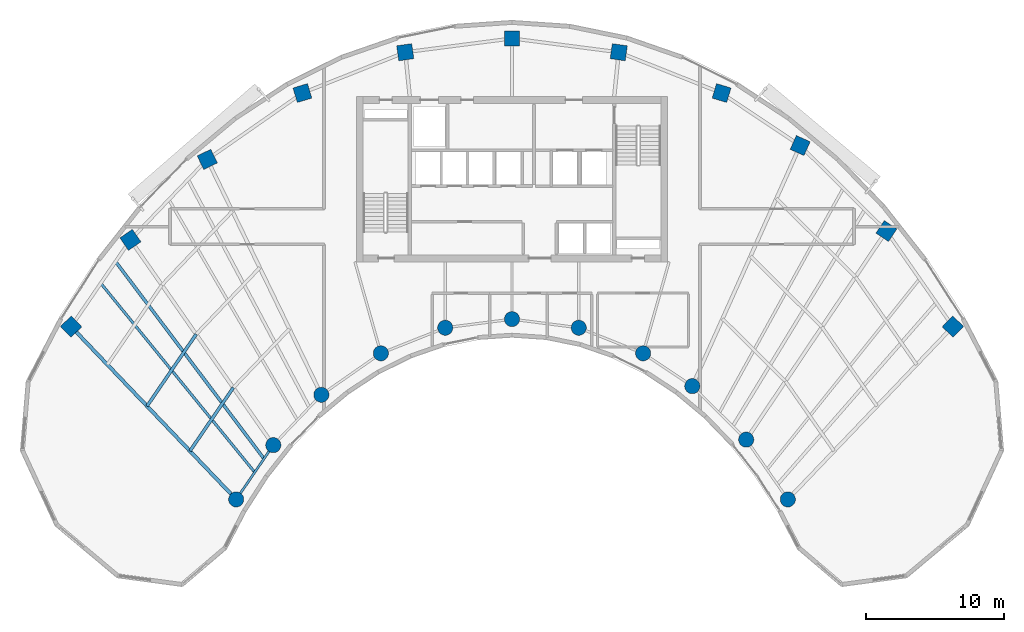
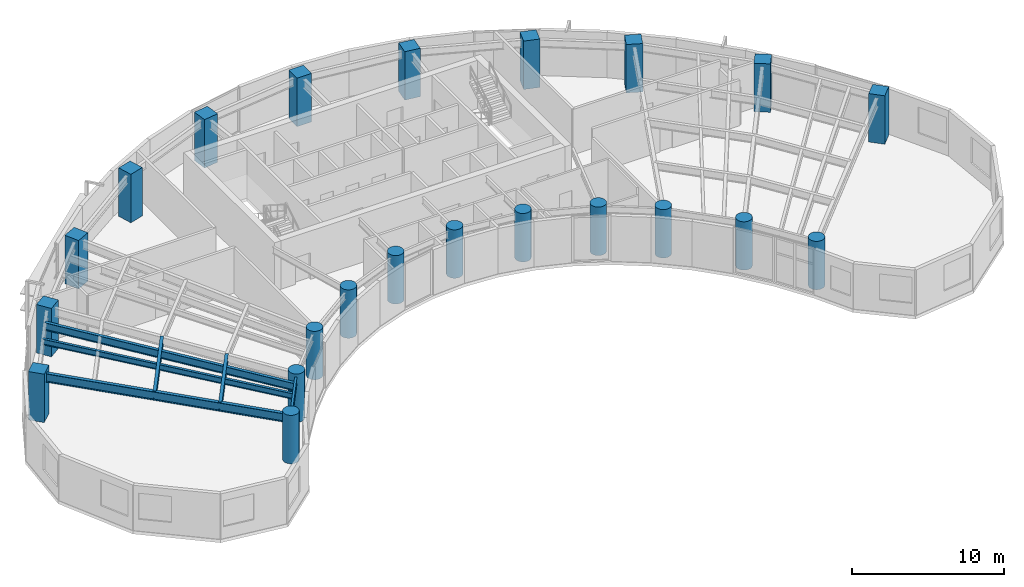
# One storey, part 1 of 13: 22 columns, 6 beams.
"""IFC4 building model written with IfcOpenShell, lengths in metres."""

from ifc_helpers import new_model, si_unit, direction, frame, origin, origin_2d, place, context, subcontext, project, spatial, rectangle, circle, i_section, extrude, source, transform, mapped, material, material_profile, profile_set, type_object, type_shapes, element, save


model = new_model("IFC4")

# Units and contexts
model_context = context("Model", 3, precision=1e-05, world=origin(), true_north=direction((0.0, 1.0)))
body_context = subcontext(model_context, "Body", "Model", "MODEL_VIEW")
ifc_project = project(units=[si_unit("LENGTHUNIT", "METRE"), si_unit("AREAUNIT", "SQUARE_METRE"), si_unit("VOLUMEUNIT", "CUBIC_METRE"), si_unit("PLANEANGLEUNIT", "RADIAN"), si_unit("MASSUNIT", "GRAM", prefix="KILO")], contexts=[model_context])

# Site, building, storey
site_placement = place(None, origin())
site = spatial("IfcSite", under=ifc_project, at=site_placement, CompositionType="ELEMENT")
building_placement = place(site_placement, origin())
building = spatial("IfcBuilding", under=site, at=building_placement, Name="Breltana Convention Tower", CompositionType="ELEMENT")
storey_placement = place(building_placement, frame((0.0, 0.0, 162.300048828125)))
storey = spatial("IfcBuildingStorey", under=building, at=storey_placement, Name="L39", CompositionType="ELEMENT", Elevation=162.300048828125)

# Columns
ifc_material_1 = material(Name="Concrete C60/75", Category="concrete")
ifc_material_profile_1 = material_profile(ifc_material_1, rectangle(XDim=1.10009765625, YDim=1.10009765625, at=origin_2d()), Name="RC-COL-1100X1100")
ifc_profile_set_1 = profile_set([ifc_material_profile_1], Name="Concrete C60/75")
column_type_1 = type_object("IfcColumnType", Name="COL-RC-1100", PredefinedType="COLUMN", material=ifc_profile_set_1)
shared_shape_1 = source(origin(), body_context, "Body", "SweptSolid", [
    extrude(rectangle(XDim=1.10009765625, YDim=1.10009765625, at=origin_2d()), origin(), (0.0, 0.0, 1.0), 3.89990234375),
])
for number, where, z_axis, x_axis, name in (
    (1, (16.0068359375, 55.494384765625, 0.0), (0.0, 0.0, 1.0), (-0.690756218984, 0.723087716626, 0.0), "L39 Tower Column R01-OUT"),
    (2, (20.310791015625, 61.78857421875, 0.0), (0.0, 0.0, 1.0), (-0.571143442153, 0.820850271661, 0.0), "L39 Tower Column R02-OUT"),
    (3, (25.8876953125, 67.626953125, 0.0), (0.0, 0.0, 1.0), (-0.436173672171, 0.899862504889, 0.0), "L39 Tower Column R03-OUT"),
    (4, (32.791015625, 72.4423828125, 0.0), (0.0, 0.0, 1.0), (-0.288697611798, 0.957420330337, 0.0), "L39 Tower Column R04-OUT"),
    (5, (40.253173828125, 75.404296875, 0.0), (0.0, 0.0, 1.0), (-0.143492621991, 0.98965138682, 0.0), "L39 Tower Column R05-OUT"),
    (6, (48.0, 76.404052734375, 0.0), (0.0, 0.0, 1.0), (0.0, 1.0, 0.0), "L39 Tower Column R06-OUT"),
    (7, (55.746826171875, 75.404296875, 0.0), (0.0, 0.0, 1.0), (0.143492621991, 0.98965138682, 0.0), "L39 Tower Column R07-OUT"),
    (8, (63.208984375, 72.4423828125, 0.0), (0.0, 0.0, 1.0), (0.288697611798, 0.957420330337, 0.0), "L39 Tower Column R08-OUT"),
    (9, (68.910400390625, 68.63330078125, 0.0), (0.0, 0.0, 1.0), (0.409126902895, 0.912477494148, 0.0), "L39 Tower Column R09-OUT"),
    (10, (75.166748046875, 62.43017578125, 0.0), (0.0, 0.0, 1.0), (0.55774510898, 0.830012285095, 0.0), "L39 Tower Column R10-OUT"),
    (11, (79.9931640625, 55.494384765625, 0.0), (0.0, 0.0, 1.0), (0.690756218984, 0.723087716626, 0.0), "L39 Tower Column R11-OUT"),
):
    element("IfcColumn", number, at=place(storey_placement, frame(where, z_axis=z_axis, x_axis=x_axis)), inside=storey, type_object=column_type_1, Name=name, PredefinedType="COLUMN", context=body_context, shape_type="MappedRepresentation", body=[
        mapped(shared_shape_1, transform((0.0, 0.0, 0.0), scale=1.0)),
    ])
ifc_material_2 = material(Name="Concrete C50/60", Category="concrete")
ifc_material_profile_2 = material_profile(ifc_material_2, circle(Radius=0.550048828125, at=origin_2d()), Name="RC-COL-D1100")
ifc_profile_set_2 = profile_set([ifc_material_profile_2], Name="Concrete C50/60")
column_type_2 = type_object("IfcColumnType", Name="COL-RC-D1100", PredefinedType="COLUMN", material=ifc_profile_set_2)
shared_shape_2 = source(origin(), body_context, "Body", "SweptSolid", [
    extrude(circle(Radius=0.550048828125, at=origin_2d()), origin(), (0.0, 0.0, 1.0), 3.89990234375),
])
for number, where, z_axis, x_axis, name in (
    (12, (27.984619140625, 42.95458984375, 0.0), (0.0, 0.0, 1.0), (-0.690756218984, 0.723087716626, 0.0), "L39 Tower Column R01-IN"),
    (13, (30.67724609375, 46.892333984375, 0.0), (0.0, 0.0, 1.0), (-0.571143442153, 0.820850271661, 0.0), "L39 Tower Column R02-IN"),
    (14, (34.166259765625, 50.544921875, 0.0), (0.0, 0.0, 1.0), (-0.436173672171, 0.899862504889, 0.0), "L39 Tower Column R03-IN"),
    (15, (38.485107421875, 53.5576171875, 0.0), (0.0, 0.0, 1.0), (-0.288697611798, 0.957420330337, 0.0), "L39 Tower Column R04-IN"),
    (16, (43.153564453125, 55.41064453125, 0.0), (0.0, 0.0, 1.0), (-0.143492621991, 0.98965138682, 0.0), "L39 Tower Column R05-IN"),
    (17, (48.0, 56.035888671875, 0.0), (0.0, 0.0, 1.0), (0.0, 1.0, 0.0), "L39 Tower Column R06-IN"),
    (18, (52.846435546875, 55.41064453125, 0.0), (0.0, 0.0, 1.0), (0.143492621991, 0.98965138682, 0.0), "L39 Tower Column R07-IN"),
    (19, (57.514892578125, 53.5576171875, 0.0), (0.0, 0.0, 1.0), (0.288697611798, 0.957420330337, 0.0), "L39 Tower Column R08-IN"),
    (20, (61.08203125, 51.174560546875, 0.0), (0.0, 0.0, 1.0), (0.409126902895, 0.912477494148, 0.0), "L39 Tower Column R09-IN"),
    (21, (64.995849609375, 47.293701171875, 0.0), (0.0, 0.0, 1.0), (0.55774510898, 0.830012285095, 0.0), "L39 Tower Column R10-IN"),
    (22, (68.015380859375, 42.95458984375, 0.0), (0.0, 0.0, 1.0), (0.690756218984, 0.723087716626, 0.0), "L39 Tower Column R11-IN"),
):
    element("IfcColumn", number, at=place(storey_placement, frame(where, z_axis=z_axis, x_axis=x_axis)), inside=storey, type_object=column_type_2, Name=name, PredefinedType="COLUMN", context=body_context, shape_type="MappedRepresentation", body=[
        mapped(shared_shape_2, transform((0.0, 0.0, 0.0), scale=1.0)),
    ])

# Beams
ifc_material_3 = material(Name="Steel ASTM A992 Grade 50", Category="steel")
ifc_material_profile_3 = material_profile(ifc_material_3, i_section(OverallWidth=0.25390625, OverallDepth=0.68798828125, WebThickness=0.01318359375, FlangeThickness=0.02099609375, at=origin_2d()), Name="W27X102")
ifc_profile_set_3 = profile_set([ifc_material_profile_3], Name="Steel ASTM A992 Grade 50")
beam_type_1 = type_object("IfcBeamType", Name="BM-RG-W27X102", PredefinedType="USERDEFINED", material=ifc_profile_set_3)
shared_shape_3 = source(origin(), body_context, "Body", "SweptSolid", [
    extrude(i_section(OverallWidth=0.25390625, OverallDepth=0.68798828125, WebThickness=0.01318359375, FlangeThickness=0.02099609375, at=origin_2d()), origin(), (0.0, 0.0, 1.0), 17.341064453125),
])
type_shapes(beam_type_1, [shared_shape_3])
beam_1_placement = place(storey_placement, frame((27.984619140625, 42.95458984375, 3.305908203125), z_axis=(-0.690716462293, 0.723125693581, 0.0), x_axis=(-0.723125693581, -0.690716462293, 0.0)))
element("IfcBeam", 23, at=beam_1_placement, inside=storey, type_object=beam_type_1, Name="L39 Radial Floor Girder R01", ObjectType="GIRDER", PredefinedType="USERDEFINED", context=body_context, shape_type="MappedRepresentation", body=[
    mapped(shared_shape_3, transform((0.0, 0.0, 0.0), scale=1.0)),
])
ifc_material_profile_4 = material_profile(ifc_material_3, i_section(OverallWidth=0.166015625, OverallDepth=0.534912109375, WebThickness=0.01025390625, FlangeThickness=0.0166015625, at=origin_2d()), Name="W21X57")
ifc_profile_set_4 = profile_set([ifc_material_profile_4], Name="Steel ASTM A992 Grade 50")
beam_type_2 = type_object("IfcBeamType", Name="BM-BM-W21X57", PredefinedType="BEAM", material=ifc_profile_set_4)
shared_shape_4 = source(origin(), body_context, "Body", "SweptSolid", [
    extrude(i_section(OverallWidth=0.166015625, OverallDepth=0.534912109375, WebThickness=0.01025390625, FlangeThickness=0.0166015625, at=origin_2d()), origin(), (0.0, 0.0, 1.0), 4.770263671875),
])
beam_2_placement = place(storey_placement, frame((27.984619140625, 42.95458984375, 3.382568359375), z_axis=(0.564452719055, 0.82546540082, 0.0), x_axis=(-0.82546540082, 0.564452719055, 0.0)))
element("IfcBeam", 24, at=beam_2_placement, inside=storey, type_object=beam_type_2, Name="L39 Inner Ring Beam 01", PredefinedType="BEAM", context=body_context, shape_type="MappedRepresentation", body=[
    mapped(shared_shape_4, transform((0.0, 0.0, 0.0), scale=1.0)),
])
ifc_material_profile_5 = material_profile(ifc_material_3, i_section(OverallWidth=0.22802734375, OverallDepth=0.60791015625, WebThickness=0.01123046875, FlangeThickness=0.017333984375, at=origin_2d()), Name="W24X76")
ifc_profile_set_5 = profile_set([ifc_material_profile_5], Name="Steel ASTM A992 Grade 50")
beam_type_3 = type_object("IfcBeamType", Name="BM-JSG-02", PredefinedType="JOIST", material=ifc_profile_set_5)
shared_shape_5 = source(origin(), body_context, "Body", "SweptSolid", [
    extrude(i_section(OverallWidth=0.22802734375, OverallDepth=0.60791015625, WebThickness=0.01123046875, FlangeThickness=0.017333984375, at=origin_2d()), origin(), (0.0, 0.0, 1.0), 5.569580078125),
])
beam_3_placement = place(storey_placement, frame((24.630615234375, 46.4658203125, 3.345947265625), z_axis=(0.564493760458, 0.825437335237, 0.0), x_axis=(-0.825437335237, 0.564493760458, 0.0)))
element("IfcBeam", 25, at=beam_3_placement, inside=storey, type_object=beam_type_3, Name="L39 Composite Floor Joist 01.1", PredefinedType="JOIST", context=body_context, shape_type="MappedRepresentation", body=[
    mapped(shared_shape_5, transform((0.0, 0.0, 0.0), scale=1.0)),
])
shared_shape_6 = source(origin(), body_context, "Body", "SweptSolid", [
    extrude(i_section(OverallWidth=0.22802734375, OverallDepth=0.60791015625, WebThickness=0.01123046875, FlangeThickness=0.017333984375, at=origin_2d()), origin(), (0.0, 0.0, 1.0), 6.311767578125),
])
beam_4_placement = place(storey_placement, frame((21.5166015625, 49.72607421875, 3.345947265625), z_axis=(0.564453712577, 0.825464721449, 0.0), x_axis=(-0.825464721449, 0.564453712577, 0.0)))
element("IfcBeam", 26, at=beam_4_placement, inside=storey, type_object=beam_type_3, Name="L39 Composite Floor Joist 01.2", PredefinedType="JOIST", context=body_context, shape_type="MappedRepresentation", body=[
    mapped(shared_shape_6, transform((0.0, 0.0, 0.0), scale=1.0)),
])
ifc_material_profile_6 = material_profile(ifc_material_3, i_section(OverallWidth=0.19091796875, OverallDepth=0.4599609375, WebThickness=0.010009765625, FlangeThickness=0.01611328125, at=origin_2d()), Name="W18X55")
ifc_profile_set_6 = profile_set([ifc_material_profile_6], Name="Steel ASTM A992 Grade 50")
beam_type_4 = type_object("IfcBeamType", Name="BM-JSG-07", PredefinedType="JOIST", material=ifc_profile_set_6)
shared_shape_7 = source(origin(), body_context, "Body", "SweptSolid", [
    extrude(i_section(OverallWidth=0.19091796875, OverallDepth=0.4599609375, WebThickness=0.010009765625, FlangeThickness=0.01611328125, at=origin_2d()), origin(), (0.0, 0.0, 1.0), 17.691650390625),
])
beam_5_placement = place(storey_placement, frame((29.330810546875, 44.923583984375, 3.419921875), z_axis=(-0.631476958478, 0.775394642044, 0.0), x_axis=(-0.775394642044, -0.631476958478, 0.0)))
element("IfcBeam", 27, at=beam_5_placement, inside=storey, type_object=beam_type_4, Name="L39 Mid-Bay Radial Trimmer 01", PredefinedType="JOIST", context=body_context, shape_type="MappedRepresentation", body=[
    mapped(shared_shape_7, transform((0.0, 0.0, 0.0), scale=1.0)),
])
shared_shape_8 = source(origin(), body_context, "Body", "SweptSolid", [
    extrude(i_section(OverallWidth=0.22802734375, OverallDepth=0.60791015625, WebThickness=0.01123046875, FlangeThickness=0.017333984375, at=origin_2d()), origin(), (0.0, 0.0, 1.0), 17.9072265625),
])
beam_6_placement = place(storey_placement, frame((30.00390625, 45.907958984375, 3.345947265625), z_axis=(-0.601382105028, 0.798961553363, 0.0), x_axis=(-0.798961553363, -0.601382105028, 0.0)))
element("IfcBeam", 28, at=beam_6_placement, inside=storey, type_object=beam_type_3, Name="L39 Quarter-Bay Radial Trimmer 01", PredefinedType="JOIST", context=body_context, shape_type="MappedRepresentation", body=[
    mapped(shared_shape_8, transform((0.0, 0.0, 0.0), scale=1.0)),
])

save(model, "model.ifc")
